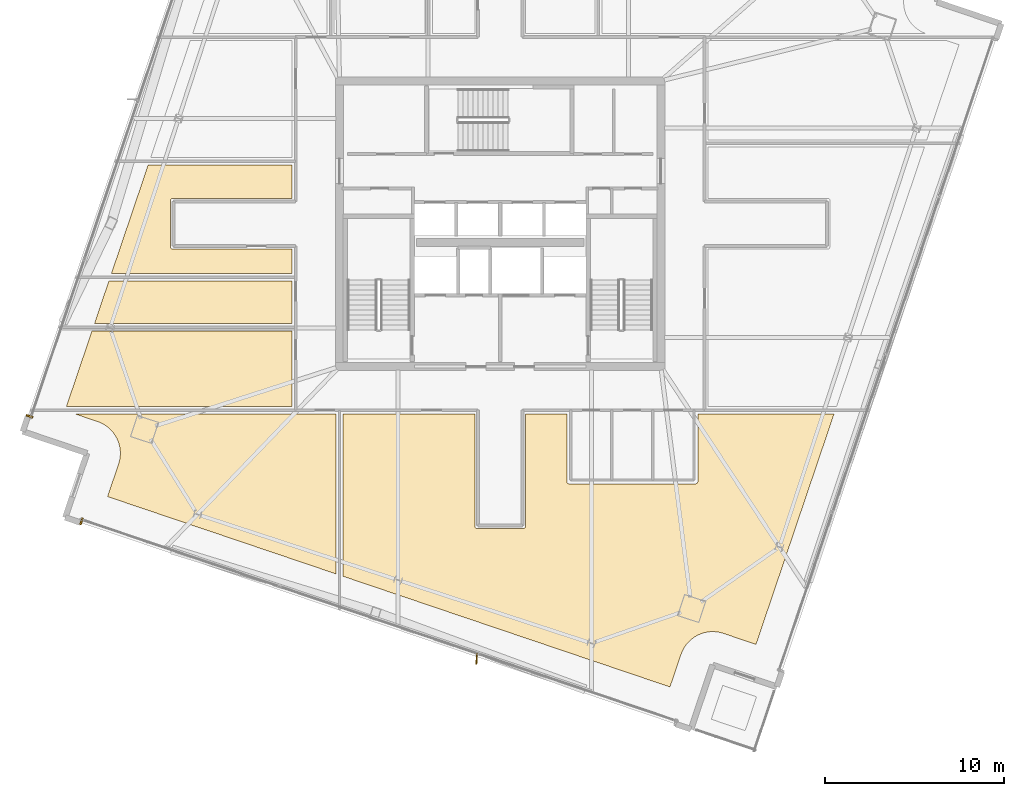
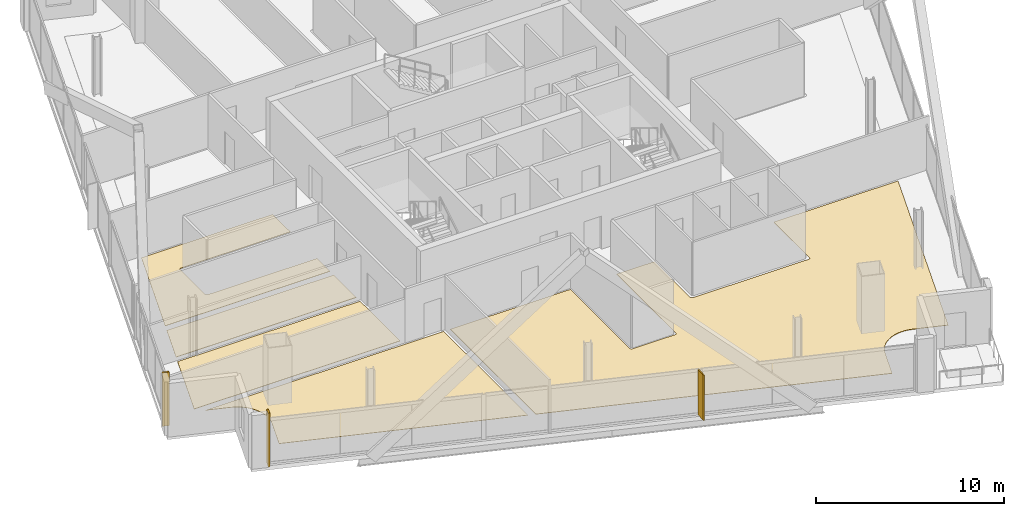
# One storey, part 25 of 29: 7 coverings, 1 shading device.
"""IFC4 building model written with IfcOpenShell, lengths in metres."""

from ifc_helpers import new_model, si_unit, direction, frame, origin, origin_2d, place, context, subcontext, project, spatial, polyline, rectangle, outline, extrude, source, transform, mapped, material, layer, layer_set, type_object, element, save


model = new_model("IFC4")

# Units and contexts
model_context = context("Model", 3, precision=1e-05, world=origin(), true_north=direction((0.0, 1.0)))
body_context = subcontext(model_context, "Body", "Model", "MODEL_VIEW")
ifc_project = project(units=[si_unit("LENGTHUNIT", "METRE"), si_unit("AREAUNIT", "SQUARE_METRE"), si_unit("VOLUMEUNIT", "CUBIC_METRE"), si_unit("PLANEANGLEUNIT", "RADIAN"), si_unit("MASSUNIT", "GRAM", prefix="KILO")], contexts=[model_context])

# Site, building, storey
site_placement = place(None, origin())
site = spatial("IfcSite", under=ifc_project, at=site_placement, CompositionType="ELEMENT")
building_placement = place(site_placement, origin())
building = spatial("IfcBuilding", under=site, at=building_placement, Name="Haldenkirk Collegiate Tower", CompositionType="ELEMENT")
storey_placement = place(building_placement, frame((0.0, 0.0, 267.449951171875)))
storey = spatial("IfcBuildingStorey", under=building, at=storey_placement, Name="L67", CompositionType="ELEMENT", Elevation=267.449951171875)

# Coverings
ifc_material_1 = material(Name="Polished collegiate terrazzo", Category="concrete")
ifc_layer_1 = layer(ifc_material_1, 0.02490234375)
ifc_layer_set_1 = layer_set([ifc_layer_1], Name="Polished collegiate terrazzo")
covering_type_1 = type_object("IfcCoveringType", Name="COV-FLOOR-TERRAZZO", PredefinedType="FLOORING", material=ifc_layer_set_1)
covering_1_placement = place(storey_placement, origin())
element("IfcCovering", 1, at=covering_1_placement, inside=storey, type_object=covering_type_1, Name="L67 academic room finish 02", PredefinedType="FLOORING", context=body_context, shape_type="SweptSolid", body=[
    extrude(outline(polyline([(47.784423828125, 3.14501953125), (47.772705078125, 3.144287109375), (47.60205078125, 3.12451171875), (47.59033203125, 3.12255859375), (47.422607421875, 3.086181640625), (47.4111328125, 3.0830078125), (47.247802734375, 3.030517578125), (47.236572265625, 3.026123046875), (47.0791015625, 2.957763671875), (47.068603515625, 2.952392578125), (46.918701171875, 2.868896484375), (46.90869140625, 2.86279296875), (46.767333984375, 2.764892578125), (46.758056640625, 2.7578125), (46.627197265625, 2.646484375), (46.61865234375, 2.638427734375), (46.49951171875, 2.514892578125), (46.49169921875, 2.506103515625), (46.385009765625, 2.37158203125), (46.378173828125, 2.36181640625), (46.28515625, 2.217529296875), (46.279296875, 2.207275390625), (46.200927734375, 2.054443359375), (46.1962890625, 2.043701171875), (46.13330078125, 1.884033203125), (46.131103515625, 1.87841796875), (45.51220703125, 0.05029296875), (27.199951171875, 6.248779296875), (27.199951171875, 15.35009765625), (34.580078125, 15.35009765625), (34.580078125, 9.050048828125), (34.58056640625, 9.0380859375), (34.582275390625, 9.026611328125), (34.585205078125, 9.01513671875), (34.589111328125, 9.004150390625), (34.59423828125, 8.993408203125), (34.60009765625, 8.9833984375), (34.607177734375, 8.973876953125), (34.614990234375, 8.965087890625), (34.623779296875, 8.957275390625), (34.63330078125, 8.9501953125), (34.643310546875, 8.944091796875), (34.654052734375, 8.939208984375), (34.665283203125, 8.935302734375), (34.676513671875, 8.932373046875), (34.688232421875, 8.9306640625), (34.699951171875, 8.929931640625), (37.300048828125, 8.929931640625), (37.311767578125, 8.9306640625), (37.323486328125, 8.932373046875), (37.334716796875, 8.935302734375), (37.345947265625, 8.939208984375), (37.356689453125, 8.944091796875), (37.36669921875, 8.9501953125), (37.376220703125, 8.957275390625), (37.385009765625, 8.965087890625), (37.392822265625, 8.973876953125), (37.39990234375, 8.9833984375), (37.40576171875, 8.993408203125), (37.410888671875, 9.004150390625), (37.414794921875, 9.01513671875), (37.417724609375, 9.026611328125), (37.41943359375, 9.0380859375), (37.419921875, 9.050048828125), (37.419921875, 15.35009765625), (39.72998046875, 15.35009765625), (39.72998046875, 11.550048828125), (39.730712890625, 11.5380859375), (39.732421875, 11.526611328125), (39.735107421875, 11.51513671875), (39.739013671875, 11.504150390625), (39.744140625, 11.493408203125), (39.750244140625, 11.4833984375), (39.757080078125, 11.473876953125), (39.76513671875, 11.465087890625), (39.77392578125, 11.457275390625), (39.783203125, 11.4501953125), (39.79345703125, 11.444091796875), (39.80419921875, 11.439208984375), (39.815185546875, 11.435302734375), (39.82666015625, 11.432373046875), (39.838134765625, 11.4306640625), (39.85009765625, 11.429931640625), (46.949951171875, 11.429931640625), (46.9619140625, 11.4306640625), (46.973388671875, 11.432373046875), (46.98486328125, 11.435302734375), (46.995849609375, 11.439208984375), (47.006591796875, 11.444091796875), (47.0166015625, 11.4501953125), (47.026123046875, 11.457275390625), (47.034912109375, 11.465087890625), (47.042724609375, 11.473876953125), (47.0498046875, 11.4833984375), (47.055908203125, 11.493408203125), (47.060791015625, 11.504150390625), (47.064697265625, 11.51513671875), (47.067626953125, 11.526611328125), (47.0693359375, 11.5380859375), (47.070068359375, 11.550048828125), (47.070068359375, 15.35009765625), (54.702880859375, 15.35009765625), (50.330078125, 2.431396484375), (48.501953125, 3.05029296875), (48.496337890625, 3.052001953125), (48.3310546875, 3.098876953125), (48.319580078125, 3.1015625), (48.150634765625, 3.132080078125), (48.138916015625, 3.1337890625), (47.9677734375, 3.147705078125), (47.9560546875, 3.14794921875), (47.784423828125, 3.14501953125)])), origin(), (0.0, 0.0, 1.0), 0.025146484375),
])
covering_2_placement = place(storey_placement, origin())
element("IfcCovering", 2, at=covering_2_placement, inside=storey, type_object=covering_type_1, Name="L67 academic room finish 08", PredefinedType="FLOORING", context=body_context, shape_type="SweptSolid", body=[
    extrude(outline(polyline([(14.08740234375, 22.800048828125), (24.35009765625, 22.800048828125), (24.35009765625, 20.39990234375), (13.27490234375, 20.39990234375), (14.08740234375, 22.800048828125)])), origin(), (0.0, 0.0, 1.0), 0.025146484375),
])
ifc_material_2 = material(Name="Engineered collegiate oak acoustic flooring", Category="wood")
ifc_layer_2 = layer(ifc_material_2, 0.02197265625)
ifc_layer_set_2 = layer_set([ifc_layer_2], Name="Engineered collegiate oak acoustic flooring")
covering_type_2 = type_object("IfcCoveringType", Name="COV-FLOOR-TIMBER", PredefinedType="FLOORING", material=ifc_layer_set_2)
covering_3_placement = place(storey_placement, origin())
element("IfcCovering", 3, at=covering_3_placement, inside=storey, type_object=covering_type_2, Name="L67 academic room finish 01", PredefinedType="FLOORING", context=body_context, shape_type="SweptSolid", body=[
    extrude(outline(polyline([(12.163818359375, 15.35009765625), (26.800048828125, 15.35009765625), (26.800048828125, 6.384033203125), (14.008056640625, 10.7138671875), (14.626953125, 12.5419921875), (14.628662109375, 12.547607421875), (14.675537109375, 12.712890625), (14.67822265625, 12.724365234375), (14.708984375, 12.893310546875), (14.71044921875, 12.905029296875), (14.724365234375, 13.076171875), (14.724609375, 13.087890625), (14.7216796875, 13.259521484375), (14.720947265625, 13.271484375), (14.701171875, 13.44189453125), (14.69921875, 13.45361328125), (14.662841796875, 13.621337890625), (14.659912109375, 13.6328125), (14.607177734375, 13.79638671875), (14.602783203125, 13.807373046875), (14.534423828125, 13.96484375), (14.529296875, 13.975341796875), (14.44580078125, 14.12548828125), (14.439453125, 14.135498046875), (14.341552734375, 14.276611328125), (14.33447265625, 14.285888671875), (14.22314453125, 14.416748046875), (14.215087890625, 14.42529296875), (14.091796875, 14.544677734375), (14.082763671875, 14.55224609375), (13.9482421875, 14.658935546875), (13.938720703125, 14.666015625), (13.794189453125, 14.7587890625), (13.783935546875, 14.7646484375), (13.631103515625, 14.843017578125), (13.620361328125, 14.847900390625), (13.460693359375, 14.910888671875), (13.455078125, 14.912841796875), (12.163818359375, 15.35009765625)])), origin(), (0.0, 0.0, 1.0), 0.02197265625),
])
covering_4_placement = place(storey_placement, origin())
element("IfcCovering", 4, at=covering_4_placement, inside=storey, type_object=covering_type_2, Name="L67 academic room finish 07", PredefinedType="FLOORING", context=body_context, shape_type="SweptSolid", body=[
    extrude(outline(polyline([(13.139404296875, 20.0), (24.35009765625, 20.0), (24.35009765625, 15.75), (11.700927734375, 15.75), (13.139404296875, 20.0)])), origin(), (0.0, 0.0, 1.0), 0.02197265625),
])
covering_5_placement = place(storey_placement, origin())
element("IfcCovering", 5, at=covering_5_placement, inside=storey, type_object=covering_type_2, Name="L67 academic room finish 09", PredefinedType="FLOORING", context=body_context, shape_type="SweptSolid", body=[
    extrude(outline(polyline([(17.64990234375, 27.419921875), (17.63818359375, 27.41943359375), (17.626708984375, 27.417724609375), (17.615234375, 27.414794921875), (17.60400390625, 27.410888671875), (17.593505859375, 27.40576171875), (17.583251953125, 27.39990234375), (17.573974609375, 27.392822265625), (17.565185546875, 27.385009765625), (17.55712890625, 27.376220703125), (17.55029296875, 27.36669921875), (17.544189453125, 27.356689453125), (17.5390625, 27.345947265625), (17.53515625, 27.334716796875), (17.5322265625, 27.323486328125), (17.530517578125, 27.311767578125), (17.530029296875, 27.300048828125), (17.530029296875, 24.699951171875), (17.530517578125, 24.688232421875), (17.5322265625, 24.676513671875), (17.53515625, 24.665283203125), (17.5390625, 24.654052734375), (17.544189453125, 24.643310546875), (17.55029296875, 24.63330078125), (17.55712890625, 24.623779296875), (17.565185546875, 24.614990234375), (17.573974609375, 24.607177734375), (17.583251953125, 24.60009765625), (17.593505859375, 24.59423828125), (17.60400390625, 24.589111328125), (17.615234375, 24.585205078125), (17.626708984375, 24.582275390625), (17.63818359375, 24.58056640625), (17.64990234375, 24.580078125), (24.35009765625, 24.580078125), (24.35009765625, 23.199951171875), (14.22265625, 23.199951171875), (16.287353515625, 29.300048828125), (24.35009765625, 29.300048828125), (24.35009765625, 27.419921875), (17.64990234375, 27.419921875)])), origin(), (0.0, 0.0, 1.0), 0.02197265625),
])
ifc_material_3 = material(Name="Anodised architectural bronze aluminium", Category="aluminium")
ifc_layer_3 = layer(ifc_material_3, 0.06005859375)
ifc_layer_set_3 = layer_set([ifc_layer_3], Name="Anodised architectural bronze aluminium")
covering_type_3 = type_object("IfcCoveringType", Name="COV-CLAD-BRONZE-60", PredefinedType="CLADDING", material=ifc_layer_set_3)
shared_shape_1 = source(origin(), body_context, "Body", "SweptSolid", [
    extrude(rectangle(XDim=0.10009765625, YDim=0.3798828125, at=origin_2d()), origin(), (0.0, 0.0, 1.0), 3.47998046875),
])
for number, where, z_axis, x_axis, name in (
    (6, (9.6396484375, 15.2119140625, 0.0), (0.0, 0.0, 1.0), (0.320612990586, 0.947210277746, 0.0), "L67 recessed curtain-wall bronze jamb closure NJL"),
    (7, (12.547119140625, 9.3291015625, 0.0), (0.0, 0.0, 1.0), (-0.947210277746, 0.320612990586, 0.0), "L67 recessed curtain-wall bronze jamb closure WJR"),
):
    element("IfcCovering", number, at=place(storey_placement, frame(where, z_axis=z_axis, x_axis=x_axis)), inside=storey, type_object=covering_type_3, Name=name, PredefinedType="CLADDING", context=body_context, shape_type="MappedRepresentation", body=[
        mapped(shared_shape_1, transform((0.0, 0.0, 0.0), x_axis=(1.0, 0.0, 0.0), y_axis=(0.0, 1.0, 0.0), z_axis=(0.0, 0.0, 1.0), scale=1.0)),
    ])

# Shading device
ifc_layer_4 = layer(ifc_material_3, 0.06494140625)
ifc_layer_set_4 = layer_set([ifc_layer_4], Name="Anodised architectural bronze aluminium")
shading_device_type = type_object("IfcShadingDeviceType", Name="SHD-FIN-BRONZE-620", PredefinedType="USERDEFINED", material=ifc_layer_set_4)
shared_shape_2 = source(origin(), body_context, "Body", "SweptSolid", [
    extrude(rectangle(XDim=0.6201171875, YDim=0.06494140625, at=origin_2d()), origin(), (0.0, 0.0, 1.0), 2.93798828125),
])
shading_device_placement = place(storey_placement, frame((34.680908203125, 1.62109375, 0.0), z_axis=(0.0, 0.0, 1.0), x_axis=(-0.04710645071, -0.998889874962, 0.0)))
element("IfcShadingDevice", 8, at=shading_device_placement, inside=storey, type_object=shading_device_type, Name="L67 folded bronze solar fin 1", ObjectType="FIN", PredefinedType="USERDEFINED", context=body_context, shape_type="MappedRepresentation", body=[
    mapped(shared_shape_2, transform((0.0, 0.0, 0.0), x_axis=(1.0, 0.0, 0.0), y_axis=(0.0, 1.0, 0.0), z_axis=(0.0, 0.0, 1.0), scale=1.0)),
])

save(model, "model.ifc")
